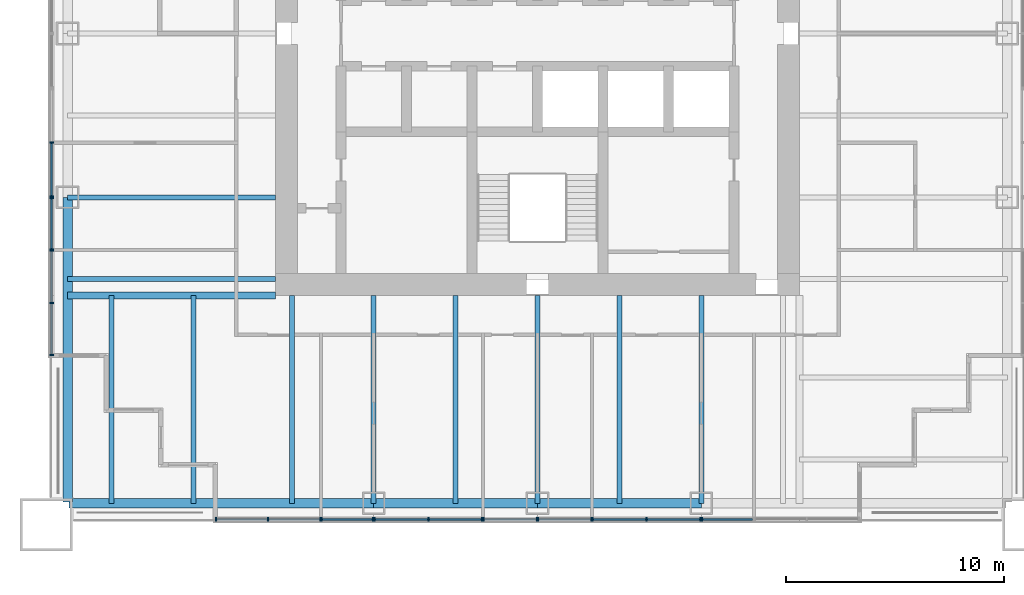
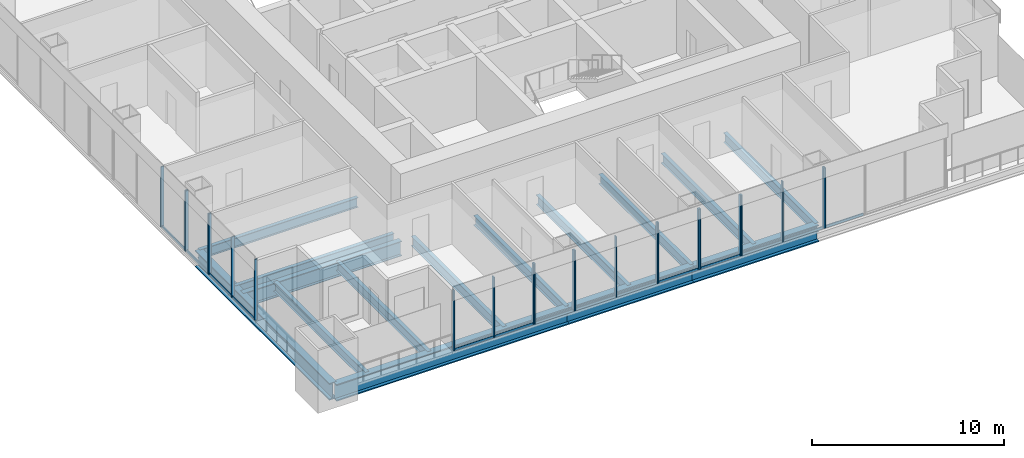
# One storey, part 2 of 13: 37 members, 15 beams, 10 elements without a shape of their own.
"""IFC4 building model written with IfcOpenShell, lengths in metres."""

from ifc_helpers import new_model, si_unit, direction, frame, origin, origin_2d, place, context, subcontext, project, spatial, rectangle, i_section, extrude, material, material_profile, profile_set, type_object, element, aggregate, save


model = new_model("IFC4")

# Units and contexts
model_context = context("Model", 3, precision=1e-05, world=origin(), true_north=direction((0.0, 1.0)))
body_context = subcontext(model_context, "Body", "Model", "MODEL_VIEW")
ifc_project = project(units=[si_unit("LENGTHUNIT", "METRE"), si_unit("AREAUNIT", "SQUARE_METRE"), si_unit("VOLUMEUNIT", "CUBIC_METRE"), si_unit("PLANEANGLEUNIT", "RADIAN"), si_unit("MASSUNIT", "GRAM", prefix="KILO")], contexts=[model_context])

# Site, building, storey
site_placement = place(None, origin())
site = spatial("IfcSite", under=ifc_project, at=site_placement, CompositionType="ELEMENT")
building_placement = place(site_placement, origin())
building = spatial("IfcBuilding", under=site, at=building_placement, Name="Tarangal Relay Tower", CompositionType="ELEMENT")
storey_placement = place(building_placement, frame((0.0, 0.0, 189.89990234375)))
storey = spatial("IfcBuildingStorey", under=building, at=storey_placement, Name="L39", CompositionType="ELEMENT", Elevation=189.89990234375)

# Beams
ifc_material_1 = material(Name="Steel ASTM A992", Category="steel")
ifc_material_profile_1 = material_profile(ifc_material_1, i_section(OverallWidth=0.227783203125, OverallDepth=0.60205078125, WebThickness=0.010498046875, FlangeThickness=0.014892578125, at=origin_2d()), Name="W24X68")
ifc_profile_set_1 = profile_set([ifc_material_profile_1], Name="Steel ASTM A992")
beam_type_1 = type_object("IfcBeamType", Name="Corner beam W24X68", PredefinedType="JOIST", material=ifc_profile_set_1)
for number, where, z_axis, x_axis, name in (
    (1, (-15.75, -12.0, -0.450927734375), (0.0, -1.0, 0.0), (1.0, 0.0, 0.0), "Corner beam CB11 S L39"),
    (2, (-19.5, -12.0, -0.450927734375), (0.0, -1.0, 0.0), (1.0, 0.0, 0.0), "Corner beam CB11 S L39"),
):
    element("IfcBeam", number, at=place(storey_placement, frame(where, z_axis=z_axis, x_axis=x_axis)), inside=storey, type_object=beam_type_1, Name=name, PredefinedType="JOIST", context=body_context, shape_type="SweptSolid", body=[
        extrude(i_section(OverallWidth=0.227783203125, OverallDepth=0.60205078125, WebThickness=0.010498046875, FlangeThickness=0.014892578125, at=origin_2d()), origin(), (0.0, 0.0, 1.0), 9.514892578125),
    ])
ifc_material_profile_2 = material_profile(ifc_material_1, i_section(OverallWidth=0.307373046875, OverallDepth=0.9423828125, WebThickness=0.022216796875, FlangeThickness=0.039794921875, at=origin_2d()), Name="W36X232")
ifc_profile_set_2 = profile_set([ifc_material_profile_2], Name="Steel ASTM A992")
beam_type_2 = type_object("IfcBeamType", Name="Corner girder W36X232", PredefinedType="BEAM", material=ifc_profile_set_2)
beam_placement = place(storey_placement, frame((-12.0, -12.0, -0.62109375), z_axis=(-1.0, 0.0, 0.0), x_axis=(0.0, -1.0, 0.0)))
element("IfcBeam", 3, at=beam_placement, inside=storey, type_object=beam_type_2, Name="Corner girder CG4 S L39", PredefinedType="BEAM", context=body_context, shape_type="SweptSolid", body=[
    extrude(i_section(OverallWidth=0.307373046875, OverallDepth=0.9423828125, WebThickness=0.022216796875, FlangeThickness=0.039794921875, at=origin_2d()), origin(), (0.0, 0.0, 1.0), 9.514892578125),
])
ifc_material_profile_3 = material_profile(ifc_material_1, i_section(OverallWidth=0.41650390625, OverallDepth=1.0693359375, WebThickness=0.0390625, FlangeThickness=0.070068359375, at=origin_2d()), Name="W40X503")
ifc_profile_set_3 = profile_set([ifc_material_profile_3], Name="Steel ASTM A992")
beam_type_3 = type_object("IfcBeamType", Name="Edge girder W40X503", PredefinedType="SPANDREL", material=ifc_profile_set_3)
for number, where, z_axis, x_axis, name in (
    (4, (7.5, -21.514892578125, -0.6845703125), (-1.0, 0.0, 0.0), (0.0, -1.0, 0.0), "Edge girder EG8 S L39"),
    (5, (0.0, -21.514892578125, -0.6845703125), (-1.0, 0.0, 0.0), (0.0, -1.0, 0.0), "Edge girder EG8 S L39"),
):
    element("IfcBeam", number, at=place(storey_placement, frame(where, z_axis=z_axis, x_axis=x_axis)), inside=storey, type_object=beam_type_3, Name=name, PredefinedType="SPANDREL", context=body_context, shape_type="SweptSolid", body=[
        extrude(i_section(OverallWidth=0.41650390625, OverallDepth=1.0693359375, WebThickness=0.0390625, FlangeThickness=0.070068359375, at=origin_2d()), origin(), (0.0, 0.0, 1.0), 7.5),
    ])
for number, where, z_axis, x_axis, name in (
    (6, (-7.5, -21.514892578125, -0.6845703125), (-1.0, 0.0, 0.0), (0.0, -1.0, 0.0), "Edge girder EG8 S L39"),
    (7, (-21.514892578125, -21.449951171875, -0.6845703125), (0.0, 1.0, 0.0), (-1.0, 0.0, 0.0), "Edge girder EG8 W L39"),
):
    element("IfcBeam", number, at=place(storey_placement, frame(where, z_axis=z_axis, x_axis=x_axis)), inside=storey, type_object=beam_type_3, Name=name, PredefinedType="SPANDREL", context=body_context, shape_type="SweptSolid", body=[
        extrude(i_section(OverallWidth=0.41650390625, OverallDepth=1.0693359375, WebThickness=0.0390625, FlangeThickness=0.070068359375, at=origin_2d()), origin(), (0.0, 0.0, 1.0), 13.949951171875),
    ])
ifc_material_profile_4 = material_profile(ifc_material_1, i_section(OverallWidth=0.22900390625, OverallDepth=0.612060546875, WebThickness=0.011962890625, FlangeThickness=0.01953125, at=origin_2d()), Name="W24X84")
ifc_profile_set_4 = profile_set([ifc_material_profile_4], Name="Steel ASTM A992")
beam_type_4 = type_object("IfcBeamType", Name="Floor beam W24X84", PredefinedType="BEAM", material=ifc_profile_set_4)
for number, where, z_axis, x_axis, name in (
    (8, (7.5, -12.0, -0.455810546875), (0.0, -1.0, 0.0), (1.0, 0.0, 0.0), "Floor beam RB12 S L39"),
    (9, (3.75, -12.0, -0.455810546875), (0.0, -1.0, 0.0), (1.0, 0.0, 0.0), "Floor beam RB12 S L39"),
    (10, (0.0, -12.0, -0.455810546875), (0.0, -1.0, 0.0), (1.0, 0.0, 0.0), "Floor beam RB12 S L39"),
    (11, (-3.75, -12.0, -0.455810546875), (0.0, -1.0, 0.0), (1.0, 0.0, 0.0), "Floor beam RB12 S L39"),
    (12, (-7.5, -12.0, -0.455810546875), (0.0, -1.0, 0.0), (1.0, 0.0, 0.0), "Floor beam RB12 S L39"),
    (13, (-11.25, -12.0, -0.455810546875), (0.0, -1.0, 0.0), (1.0, 0.0, 0.0), "Floor beam RB12 S L39"),
    (14, (-12.0, -11.25, -0.455810546875), (-1.0, 0.0, 0.0), (0.0, -1.0, 0.0), "Floor beam RB12 W L39"),
    (15, (-12.0, -7.5, -0.455810546875), (-1.0, 0.0, 0.0), (0.0, -1.0, 0.0), "Floor beam RB12 W L39"),
):
    element("IfcBeam", number, at=place(storey_placement, frame(where, z_axis=z_axis, x_axis=x_axis)), inside=storey, type_object=beam_type_4, Name=name, PredefinedType="BEAM", context=body_context, shape_type="SweptSolid", body=[
        extrude(i_section(OverallWidth=0.22900390625, OverallDepth=0.612060546875, WebThickness=0.011962890625, FlangeThickness=0.01953125, at=origin_2d()), origin(), (0.0, 0.0, 1.0), 9.514892578125),
    ])

# Curtain wall, members
ifc_material_2 = material(Name="Unitised curtain wall, dark glass and black aluminium", Category="aluminium")
curtain_wall_type_1 = type_object("IfcCurtainWallType", Name="Curtain wall CW-A", PredefinedType="USERDEFINED", material=ifc_material_2)
curtain_wall_1_placement = place(storey_placement, origin())
curtain_wall_1 = element("IfcCurtainWall", 16, at=curtain_wall_1_placement, inside=storey, type_object=curtain_wall_type_1, Name="Curtain wall CW-A S facade L39", ObjectType="UNITISED CURTAIN WALL", PredefinedType="USERDEFINED")
ifc_material_3 = material(Name="Black anodised aluminium mullion", Category="aluminium")
ifc_material_profile_5 = material_profile(ifc_material_3, rectangle(XDim=0.175048828125, YDim=0.06494140625, at=origin_2d()), Name="CW-AM 65X175")
ifc_profile_set_5 = profile_set([ifc_material_profile_5], Name="Black anodised aluminium mullion")
member_type_1 = type_object("IfcMemberType", Name="Mullion CW-A 65 x 175", PredefinedType="MULLION", material=ifc_profile_set_5)
member_1_placement = place(storey_placement, frame((2.467529296875, -22.25, 0.0), z_axis=(0.0, 0.0, 1.0), x_axis=(0.0, -1.0, 0.0)))
member_1 = element("IfcMember", 17, at=member_1_placement, type_object=member_type_1, Name="CW-A mullion 1", PredefinedType="MULLION", context=body_context, shape_type="SweptSolid", body=[
    extrude(rectangle(XDim=0.175048828125, YDim=0.06494140625, at=origin_2d()), origin(), (0.0, 0.0, 1.0), 3.85009765625),
])
member_2_placement = place(storey_placement, frame((0.032470703125, -22.25, 0.0), z_axis=(0.0, 0.0, 1.0), x_axis=(0.0, -1.0, 0.0)))
member_2 = element("IfcMember", 18, at=member_2_placement, type_object=member_type_1, Name="CW-A mullion 2", PredefinedType="MULLION", context=body_context, shape_type="SweptSolid", body=[
    extrude(rectangle(XDim=0.175048828125, YDim=0.06494140625, at=origin_2d()), origin(), (0.0, 0.0, 1.0), 3.85009765625),
])

curtain_wall_2_placement = place(storey_placement, origin())
curtain_wall_2 = element("IfcCurtainWall", 19, at=curtain_wall_2_placement, inside=storey, type_object=curtain_wall_type_1, Name="Curtain wall CW-A S facade L39", ObjectType="UNITISED CURTAIN WALL", PredefinedType="USERDEFINED")
member_3_placement = place(storey_placement, frame((-0.032470703125, -22.25, 0.0), z_axis=(0.0, 0.0, 1.0), x_axis=(0.0, -1.0, 0.0)))
member_3 = element("IfcMember", 20, at=member_3_placement, type_object=member_type_1, Name="CW-A mullion 1", PredefinedType="MULLION", context=body_context, shape_type="SweptSolid", body=[
    extrude(rectangle(XDim=0.175048828125, YDim=0.06494140625, at=origin_2d()), origin(), (0.0, 0.0, 1.0), 3.85009765625),
])
member_4_placement = place(storey_placement, frame((-2.467529296875, -22.25, 0.0), z_axis=(0.0, 0.0, 1.0), x_axis=(0.0, -1.0, 0.0)))
member_4 = element("IfcMember", 21, at=member_4_placement, type_object=member_type_1, Name="CW-A mullion 2", PredefinedType="MULLION", context=body_context, shape_type="SweptSolid", body=[
    extrude(rectangle(XDim=0.175048828125, YDim=0.06494140625, at=origin_2d()), origin(), (0.0, 0.0, 1.0), 3.85009765625),
])

curtain_wall_3_placement = place(storey_placement, origin())
curtain_wall_3 = element("IfcCurtainWall", 22, at=curtain_wall_3_placement, inside=storey, type_object=curtain_wall_type_1, Name="Curtain wall CW-A S facade L39", ObjectType="UNITISED CURTAIN WALL", PredefinedType="USERDEFINED")
member_5_placement = place(storey_placement, frame((-9.94921875, -22.25, 0.0), z_axis=(0.0, 0.0, 1.0), x_axis=(0.0, -1.0, 0.0)))
member_5 = element("IfcMember", 23, at=member_5_placement, type_object=member_type_1, Name="CW-A mullion 1", PredefinedType="MULLION", context=body_context, shape_type="SweptSolid", body=[
    extrude(rectangle(XDim=0.175048828125, YDim=0.06494140625, at=origin_2d()), origin(), (0.0, 0.0, 1.0), 3.85009765625),
])
member_6_placement = place(storey_placement, frame((-12.333251953125, -22.25, 0.0), z_axis=(0.0, 0.0, 1.0), x_axis=(0.0, -1.0, 0.0)))
member_6 = element("IfcMember", 24, at=member_6_placement, type_object=member_type_1, Name="CW-A mullion 2", PredefinedType="MULLION", context=body_context, shape_type="SweptSolid", body=[
    extrude(rectangle(XDim=0.175048828125, YDim=0.06494140625, at=origin_2d()), origin(), (0.0, 0.0, 1.0), 3.85009765625),
])
member_7_placement = place(storey_placement, frame((-14.717529296875, -22.25, 0.0), z_axis=(0.0, 0.0, 1.0), x_axis=(0.0, -1.0, 0.0)))
member_7 = element("IfcMember", 25, at=member_7_placement, type_object=member_type_1, Name="CW-A mullion 3", PredefinedType="MULLION", context=body_context, shape_type="SweptSolid", body=[
    extrude(rectangle(XDim=0.175048828125, YDim=0.06494140625, at=origin_2d()), origin(), (0.0, 0.0, 1.0), 3.85009765625),
])

curtain_wall_4_placement = place(storey_placement, origin())
curtain_wall_4 = element("IfcCurtainWall", 26, at=curtain_wall_4_placement, inside=storey, type_object=curtain_wall_type_1, Name="Curtain wall CW-A W facade L39", ObjectType="UNITISED CURTAIN WALL", PredefinedType="USERDEFINED")
member_8_placement = place(storey_placement, frame((-22.25, -14.717529296875, 0.0), z_axis=(0.0, 0.0, 1.0), x_axis=(-1.0, 0.0, 0.0)))
member_8 = element("IfcMember", 27, at=member_8_placement, type_object=member_type_1, Name="CW-A mullion 1", PredefinedType="MULLION", context=body_context, shape_type="SweptSolid", body=[
    extrude(rectangle(XDim=0.175048828125, YDim=0.06494140625, at=origin_2d()), origin(), (0.0, 0.0, 1.0), 3.85009765625),
])
member_9_placement = place(storey_placement, frame((-22.25, -12.333251953125, 0.0), z_axis=(0.0, 0.0, 1.0), x_axis=(-1.0, 0.0, 0.0)))
member_9 = element("IfcMember", 28, at=member_9_placement, type_object=member_type_1, Name="CW-A mullion 2", PredefinedType="MULLION", context=body_context, shape_type="SweptSolid", body=[
    extrude(rectangle(XDim=0.175048828125, YDim=0.06494140625, at=origin_2d()), origin(), (0.0, 0.0, 1.0), 3.85009765625),
])
member_10_placement = place(storey_placement, frame((-22.25, -9.94921875, 0.0), z_axis=(0.0, 0.0, 1.0), x_axis=(-1.0, 0.0, 0.0)))
member_10 = element("IfcMember", 29, at=member_10_placement, type_object=member_type_1, Name="CW-A mullion 3", PredefinedType="MULLION", context=body_context, shape_type="SweptSolid", body=[
    extrude(rectangle(XDim=0.175048828125, YDim=0.06494140625, at=origin_2d()), origin(), (0.0, 0.0, 1.0), 3.85009765625),
])

# Curtain wall, member
ifc_material_4 = material(Name="Unitised curtain wall frame, black aluminium, with metal clad infill walls", Category="aluminium")
curtain_wall_type_2 = type_object("IfcCurtainWallType", Name="Curtain wall CW-AO", PredefinedType="USERDEFINED", material=ifc_material_4)
curtain_wall_5_placement = place(storey_placement, origin())
curtain_wall_5 = element("IfcCurtainWall", 30, at=curtain_wall_5_placement, inside=storey, type_object=curtain_wall_type_2, Name="Curtain wall CW-AO S facade L39", ObjectType="UNITISED CURTAIN WALL", PredefinedType="USERDEFINED")
ifc_material_profile_6 = material_profile(ifc_material_3, rectangle(XDim=0.175048828125, YDim=0.06494140625, at=origin_2d()), Name="CW-AOM 65X175")
ifc_profile_set_6 = profile_set([ifc_material_profile_6], Name="Black anodised aluminium mullion")
member_type_2 = type_object("IfcMemberType", Name="Mullion CW-AO 65 x 175", PredefinedType="MULLION", material=ifc_profile_set_6)
member_11_placement = place(storey_placement, frame((7.532470703125, -22.25, 0.0), z_axis=(0.0, 0.0, 1.0), x_axis=(0.0, -1.0, 0.0)))
member_11 = element("IfcMember", 31, at=member_11_placement, type_object=member_type_2, Name="CW-AO mullion 2", PredefinedType="MULLION", context=body_context, shape_type="SweptSolid", body=[
    extrude(rectangle(XDim=0.175048828125, YDim=0.06494140625, at=origin_2d()), origin(), (0.0, 0.0, 1.0), 3.85009765625),
])

# Curtain wall, members
curtain_wall_6_placement = place(storey_placement, origin())
curtain_wall_6 = element("IfcCurtainWall", 32, at=curtain_wall_6_placement, inside=storey, type_object=curtain_wall_type_2, Name="Curtain wall CW-AO S facade L39", ObjectType="UNITISED CURTAIN WALL", PredefinedType="USERDEFINED")
member_12_placement = place(storey_placement, frame((7.467529296875, -22.25, 0.0), z_axis=(0.0, 0.0, 1.0), x_axis=(0.0, -1.0, 0.0)))
member_12 = element("IfcMember", 33, at=member_12_placement, type_object=member_type_2, Name="CW-AO mullion 1", PredefinedType="MULLION", context=body_context, shape_type="SweptSolid", body=[
    extrude(rectangle(XDim=0.175048828125, YDim=0.06494140625, at=origin_2d()), origin(), (0.0, 0.0, 1.0), 3.85009765625),
])
member_13_placement = place(storey_placement, frame((5.0, -22.25, 0.0), z_axis=(0.0, 0.0, 1.0), x_axis=(0.0, -1.0, 0.0)))
member_13 = element("IfcMember", 34, at=member_13_placement, type_object=member_type_2, Name="CW-AO mullion 2", PredefinedType="MULLION", context=body_context, shape_type="SweptSolid", body=[
    extrude(rectangle(XDim=0.175048828125, YDim=0.06494140625, at=origin_2d()), origin(), (0.0, 0.0, 1.0), 3.85009765625),
])
member_14_placement = place(storey_placement, frame((2.532470703125, -22.25, 0.0), z_axis=(0.0, 0.0, 1.0), x_axis=(0.0, -1.0, 0.0)))
member_14 = element("IfcMember", 35, at=member_14_placement, type_object=member_type_2, Name="CW-AO mullion 3", PredefinedType="MULLION", context=body_context, shape_type="SweptSolid", body=[
    extrude(rectangle(XDim=0.175048828125, YDim=0.06494140625, at=origin_2d()), origin(), (0.0, 0.0, 1.0), 3.85009765625),
])

curtain_wall_7_placement = place(storey_placement, origin())
curtain_wall_7 = element("IfcCurtainWall", 36, at=curtain_wall_7_placement, inside=storey, type_object=curtain_wall_type_2, Name="Curtain wall CW-AO S facade L39", ObjectType="UNITISED CURTAIN WALL", PredefinedType="USERDEFINED")
member_15_placement = place(storey_placement, frame((-2.532470703125, -22.25, 0.0), z_axis=(0.0, 0.0, 1.0), x_axis=(0.0, -1.0, 0.0)))
member_15 = element("IfcMember", 37, at=member_15_placement, type_object=member_type_2, Name="CW-AO mullion 1", PredefinedType="MULLION", context=body_context, shape_type="SweptSolid", body=[
    extrude(rectangle(XDim=0.175048828125, YDim=0.06494140625, at=origin_2d()), origin(), (0.0, 0.0, 1.0), 3.85009765625),
])
member_16_placement = place(storey_placement, frame((-5.0, -22.25, 0.0), z_axis=(0.0, 0.0, 1.0), x_axis=(0.0, -1.0, 0.0)))
member_16 = element("IfcMember", 38, at=member_16_placement, type_object=member_type_2, Name="CW-AO mullion 2", PredefinedType="MULLION", context=body_context, shape_type="SweptSolid", body=[
    extrude(rectangle(XDim=0.175048828125, YDim=0.06494140625, at=origin_2d()), origin(), (0.0, 0.0, 1.0), 3.85009765625),
])
member_17_placement = place(storey_placement, frame((-7.467529296875, -22.25, 0.0), z_axis=(0.0, 0.0, 1.0), x_axis=(0.0, -1.0, 0.0)))
member_17 = element("IfcMember", 39, at=member_17_placement, type_object=member_type_2, Name="CW-AO mullion 3", PredefinedType="MULLION", context=body_context, shape_type="SweptSolid", body=[
    extrude(rectangle(XDim=0.175048828125, YDim=0.06494140625, at=origin_2d()), origin(), (0.0, 0.0, 1.0), 3.85009765625),
])

curtain_wall_8_placement = place(storey_placement, origin())
curtain_wall_8 = element("IfcCurtainWall", 40, at=curtain_wall_8_placement, inside=storey, type_object=curtain_wall_type_2, Name="Curtain wall CW-AO S facade L39", ObjectType="UNITISED CURTAIN WALL", PredefinedType="USERDEFINED")
member_18_placement = place(storey_placement, frame((-7.532470703125, -22.25, 0.0), z_axis=(0.0, 0.0, 1.0), x_axis=(0.0, -1.0, 0.0)))
member_18 = element("IfcMember", 41, at=member_18_placement, type_object=member_type_2, Name="CW-AO mullion 1", PredefinedType="MULLION", context=body_context, shape_type="SweptSolid", body=[
    extrude(rectangle(XDim=0.175048828125, YDim=0.06494140625, at=origin_2d()), origin(), (0.0, 0.0, 1.0), 3.85009765625),
])
member_19_placement = place(storey_placement, frame((-9.88427734375, -22.25, 0.0), z_axis=(0.0, 0.0, 1.0), x_axis=(0.0, -1.0, 0.0)))
member_19 = element("IfcMember", 42, at=member_19_placement, type_object=member_type_2, Name="CW-AO mullion 2", PredefinedType="MULLION", context=body_context, shape_type="SweptSolid", body=[
    extrude(rectangle(XDim=0.175048828125, YDim=0.06494140625, at=origin_2d()), origin(), (0.0, 0.0, 1.0), 3.85009765625),
])

curtain_wall_9_placement = place(storey_placement, origin())
curtain_wall_9 = element("IfcCurtainWall", 43, at=curtain_wall_9_placement, inside=storey, type_object=curtain_wall_type_2, Name="Curtain wall CW-AO W facade L39", ObjectType="UNITISED CURTAIN WALL", PredefinedType="USERDEFINED")
member_20_placement = place(storey_placement, frame((-22.25, -9.88427734375, 0.0), z_axis=(0.0, 0.0, 1.0), x_axis=(-1.0, 0.0, 0.0)))
member_20 = element("IfcMember", 44, at=member_20_placement, type_object=member_type_2, Name="CW-AO mullion 1", PredefinedType="MULLION", context=body_context, shape_type="SweptSolid", body=[
    extrude(rectangle(XDim=0.175048828125, YDim=0.06494140625, at=origin_2d()), origin(), (0.0, 0.0, 1.0), 3.85009765625),
])
member_21_placement = place(storey_placement, frame((-22.25, -7.532470703125, 0.0), z_axis=(0.0, 0.0, 1.0), x_axis=(-1.0, 0.0, 0.0)))
member_21 = element("IfcMember", 45, at=member_21_placement, type_object=member_type_2, Name="CW-AO mullion 2", PredefinedType="MULLION", context=body_context, shape_type="SweptSolid", body=[
    extrude(rectangle(XDim=0.175048828125, YDim=0.06494140625, at=origin_2d()), origin(), (0.0, 0.0, 1.0), 3.85009765625),
])

curtain_wall_10_placement = place(storey_placement, origin())
curtain_wall_10 = element("IfcCurtainWall", 46, at=curtain_wall_10_placement, inside=storey, type_object=curtain_wall_type_2, Name="Curtain wall CW-AO W facade L39", ObjectType="UNITISED CURTAIN WALL", PredefinedType="USERDEFINED")
member_22_placement = place(storey_placement, frame((-22.25, -7.467529296875, 0.0), z_axis=(0.0, 0.0, 1.0), x_axis=(-1.0, 0.0, 0.0)))
member_22 = element("IfcMember", 47, at=member_22_placement, type_object=member_type_2, Name="CW-AO mullion 1", PredefinedType="MULLION", context=body_context, shape_type="SweptSolid", body=[
    extrude(rectangle(XDim=0.175048828125, YDim=0.06494140625, at=origin_2d()), origin(), (0.0, 0.0, 1.0), 3.85009765625),
])
member_23_placement = place(storey_placement, frame((-22.25, -5.0, 0.0), z_axis=(0.0, 0.0, 1.0), x_axis=(-1.0, 0.0, 0.0)))
member_23 = element("IfcMember", 48, at=member_23_placement, type_object=member_type_2, Name="CW-AO mullion 2", PredefinedType="MULLION", context=body_context, shape_type="SweptSolid", body=[
    extrude(rectangle(XDim=0.175048828125, YDim=0.06494140625, at=origin_2d()), origin(), (0.0, 0.0, 1.0), 3.85009765625),
])

# Member
ifc_material_5 = material(Name="Black anodised aluminium transom", Category="aluminium")
ifc_material_profile_7 = material_profile(ifc_material_5, rectangle(XDim=0.06494140625, YDim=0.14990234375, at=origin_2d()), Name="CW-AT 65X150")
ifc_profile_set_7 = profile_set([ifc_material_profile_7], Name="Black anodised aluminium transom")
member_type_3 = type_object("IfcMemberType", Name="Transom CW-A 65 x 150", PredefinedType="USERDEFINED", material=ifc_profile_set_7)
member_24_placement = place(storey_placement, frame((2.43505859375, -22.25, 0.03271484375), z_axis=(-1.0, 0.0, 0.0), x_axis=(0.0, -1.0, 0.0)))
member_24 = element("IfcMember", 49, at=member_24_placement, type_object=member_type_3, Name="CW-A transom 1.1", ObjectType="TRANSOM", PredefinedType="USERDEFINED", context=body_context, shape_type="SweptSolid", body=[
    extrude(rectangle(XDim=0.06494140625, YDim=0.14990234375, at=origin_2d()), origin(), (0.0, 0.0, 1.0), 2.3701171875),
])

aggregate(curtain_wall_1, [member_1, member_2, member_24])

member_25_placement = place(storey_placement, frame((-0.06494140625, -22.25, 0.03271484375), z_axis=(-1.0, 0.0, 0.0), x_axis=(0.0, -1.0, 0.0)))
member_25 = element("IfcMember", 50, at=member_25_placement, type_object=member_type_3, Name="CW-A transom 1.1", ObjectType="TRANSOM", PredefinedType="USERDEFINED", context=body_context, shape_type="SweptSolid", body=[
    extrude(rectangle(XDim=0.06494140625, YDim=0.14990234375, at=origin_2d()), origin(), (0.0, 0.0, 1.0), 2.3701171875),
])

aggregate(curtain_wall_2, [member_3, member_4, member_25])

member_26_placement = place(storey_placement, frame((-9.981689453125, -22.25, 0.03271484375), z_axis=(-1.0, 0.0, 0.0), x_axis=(0.0, -1.0, 0.0)))
member_26 = element("IfcMember", 51, at=member_26_placement, type_object=member_type_3, Name="CW-A transom 1.1", ObjectType="TRANSOM", PredefinedType="USERDEFINED", context=body_context, shape_type="SweptSolid", body=[
    extrude(rectangle(XDim=0.06494140625, YDim=0.14990234375, at=origin_2d()), origin(), (0.0, 0.0, 1.0), 2.319091796875),
])

member_27_placement = place(storey_placement, frame((-12.365966796875, -22.25, 0.03271484375), z_axis=(-1.0, 0.0, 0.0), x_axis=(0.0, -1.0, 0.0)))
member_27 = element("IfcMember", 52, at=member_27_placement, type_object=member_type_3, Name="CW-A transom 2.1", ObjectType="TRANSOM", PredefinedType="USERDEFINED", context=body_context, shape_type="SweptSolid", body=[
    extrude(rectangle(XDim=0.06494140625, YDim=0.14990234375, at=origin_2d()), origin(), (0.0, 0.0, 1.0), 2.319091796875),
])

aggregate(curtain_wall_3, [member_5, member_6, member_7, member_26, member_27])

member_28_placement = place(storey_placement, frame((-22.25, -14.68505859375, 0.03271484375), z_axis=(0.0, 1.0, 0.0), x_axis=(-1.0, 0.0, 0.0)))
member_28 = element("IfcMember", 53, at=member_28_placement, type_object=member_type_3, Name="CW-A transom 1.1", ObjectType="TRANSOM", PredefinedType="USERDEFINED", context=body_context, shape_type="SweptSolid", body=[
    extrude(rectangle(XDim=0.06494140625, YDim=0.14990234375, at=origin_2d()), origin(), (0.0, 0.0, 1.0), 2.319091796875),
])

member_29_placement = place(storey_placement, frame((-22.25, -12.30078125, 0.03271484375), z_axis=(0.0, 1.0, 0.0), x_axis=(-1.0, 0.0, 0.0)))
member_29 = element("IfcMember", 54, at=member_29_placement, type_object=member_type_3, Name="CW-A transom 2.1", ObjectType="TRANSOM", PredefinedType="USERDEFINED", context=body_context, shape_type="SweptSolid", body=[
    extrude(rectangle(XDim=0.06494140625, YDim=0.14990234375, at=origin_2d()), origin(), (0.0, 0.0, 1.0), 2.319091796875),
])

aggregate(curtain_wall_4, [member_8, member_9, member_10, member_28, member_29])

ifc_material_profile_8 = material_profile(ifc_material_5, rectangle(XDim=0.06494140625, YDim=0.14990234375, at=origin_2d()), Name="CW-AOT 65X150")
ifc_profile_set_8 = profile_set([ifc_material_profile_8], Name="Black anodised aluminium transom")
member_type_4 = type_object("IfcMemberType", Name="Transom CW-AO 65 x 150", PredefinedType="USERDEFINED", material=ifc_profile_set_8)
member_30_placement = place(storey_placement, frame((9.851806640625, -22.25, 0.03271484375), z_axis=(-1.0, 0.0, 0.0), x_axis=(0.0, -1.0, 0.0)))
member_30 = element("IfcMember", 55, at=member_30_placement, type_object=member_type_4, Name="CW-AO transom 1.1", ObjectType="TRANSOM", PredefinedType="USERDEFINED", context=body_context, shape_type="SweptSolid", body=[
    extrude(rectangle(XDim=0.06494140625, YDim=0.14990234375, at=origin_2d()), origin(), (0.0, 0.0, 1.0), 2.286865234375),
])

aggregate(curtain_wall_5, [member_11, member_30])

member_31_placement = place(storey_placement, frame((7.43505859375, -22.25, 0.03271484375), z_axis=(-1.0, 0.0, 0.0), x_axis=(0.0, -1.0, 0.0)))
member_31 = element("IfcMember", 56, at=member_31_placement, type_object=member_type_4, Name="CW-AO transom 1.1", ObjectType="TRANSOM", PredefinedType="USERDEFINED", context=body_context, shape_type="SweptSolid", body=[
    extrude(rectangle(XDim=0.06494140625, YDim=0.14990234375, at=origin_2d()), origin(), (0.0, 0.0, 1.0), 2.402587890625),
])

member_32_placement = place(storey_placement, frame((4.967529296875, -22.25, 0.03271484375), z_axis=(-1.0, 0.0, 0.0), x_axis=(0.0, -1.0, 0.0)))
member_32 = element("IfcMember", 57, at=member_32_placement, type_object=member_type_4, Name="CW-AO transom 2.1", ObjectType="TRANSOM", PredefinedType="USERDEFINED", context=body_context, shape_type="SweptSolid", body=[
    extrude(rectangle(XDim=0.06494140625, YDim=0.14990234375, at=origin_2d()), origin(), (0.0, 0.0, 1.0), 2.402587890625),
])

aggregate(curtain_wall_6, [member_12, member_13, member_14, member_31, member_32])

member_33_placement = place(storey_placement, frame((-2.56494140625, -22.25, 0.03271484375), z_axis=(-1.0, 0.0, 0.0), x_axis=(0.0, -1.0, 0.0)))
member_33 = element("IfcMember", 58, at=member_33_placement, type_object=member_type_4, Name="CW-AO transom 1.1", ObjectType="TRANSOM", PredefinedType="USERDEFINED", context=body_context, shape_type="SweptSolid", body=[
    extrude(rectangle(XDim=0.06494140625, YDim=0.14990234375, at=origin_2d()), origin(), (0.0, 0.0, 1.0), 2.402587890625),
])

member_34_placement = place(storey_placement, frame((-5.032470703125, -22.25, 0.03271484375), z_axis=(-1.0, 0.0, 0.0), x_axis=(0.0, -1.0, 0.0)))
member_34 = element("IfcMember", 59, at=member_34_placement, type_object=member_type_4, Name="CW-AO transom 2.1", ObjectType="TRANSOM", PredefinedType="USERDEFINED", context=body_context, shape_type="SweptSolid", body=[
    extrude(rectangle(XDim=0.06494140625, YDim=0.14990234375, at=origin_2d()), origin(), (0.0, 0.0, 1.0), 2.402587890625),
])

aggregate(curtain_wall_7, [member_15, member_16, member_17, member_33, member_34])

member_35_placement = place(storey_placement, frame((-7.56494140625, -22.25, 0.03271484375), z_axis=(-1.0, 0.0, 0.0), x_axis=(0.0, -1.0, 0.0)))
member_35 = element("IfcMember", 60, at=member_35_placement, type_object=member_type_4, Name="CW-AO transom 1.1", ObjectType="TRANSOM", PredefinedType="USERDEFINED", context=body_context, shape_type="SweptSolid", body=[
    extrude(rectangle(XDim=0.06494140625, YDim=0.14990234375, at=origin_2d()), origin(), (0.0, 0.0, 1.0), 2.286865234375),
])

aggregate(curtain_wall_8, [member_18, member_19, member_35])

member_36_placement = place(storey_placement, frame((-22.25, -9.851806640625, 0.03271484375), z_axis=(0.0, 1.0, 0.0), x_axis=(-1.0, 0.0, 0.0)))
member_36 = element("IfcMember", 61, at=member_36_placement, type_object=member_type_4, Name="CW-AO transom 1.1", ObjectType="TRANSOM", PredefinedType="USERDEFINED", context=body_context, shape_type="SweptSolid", body=[
    extrude(rectangle(XDim=0.06494140625, YDim=0.14990234375, at=origin_2d()), origin(), (0.0, 0.0, 1.0), 2.286865234375),
])

aggregate(curtain_wall_9, [member_20, member_21, member_36])

member_37_placement = place(storey_placement, frame((-22.25, -7.43505859375, 0.03271484375), z_axis=(0.0, 1.0, 0.0), x_axis=(-1.0, 0.0, 0.0)))
member_37 = element("IfcMember", 62, at=member_37_placement, type_object=member_type_4, Name="CW-AO transom 1.1", ObjectType="TRANSOM", PredefinedType="USERDEFINED", context=body_context, shape_type="SweptSolid", body=[
    extrude(rectangle(XDim=0.06494140625, YDim=0.14990234375, at=origin_2d()), origin(), (0.0, 0.0, 1.0), 2.402587890625),
])

aggregate(curtain_wall_10, [member_22, member_23, member_37])

save(model, "model.ifc")
